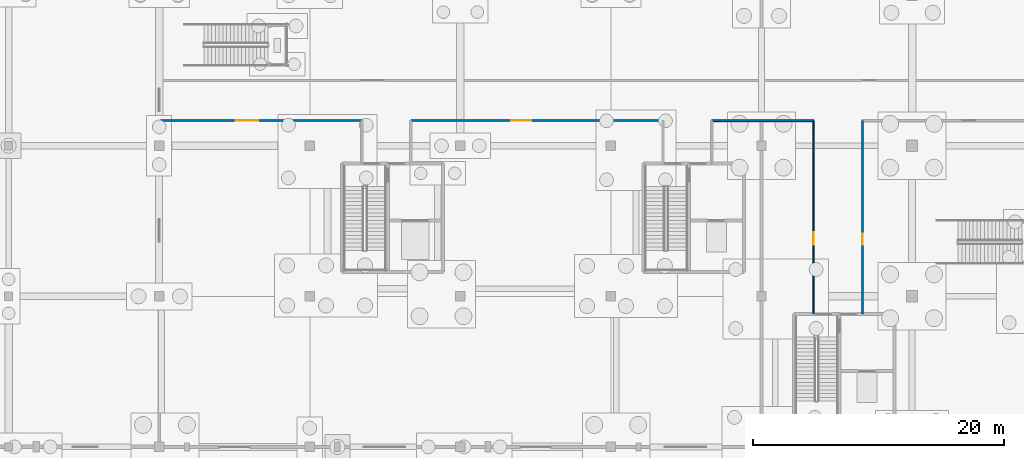
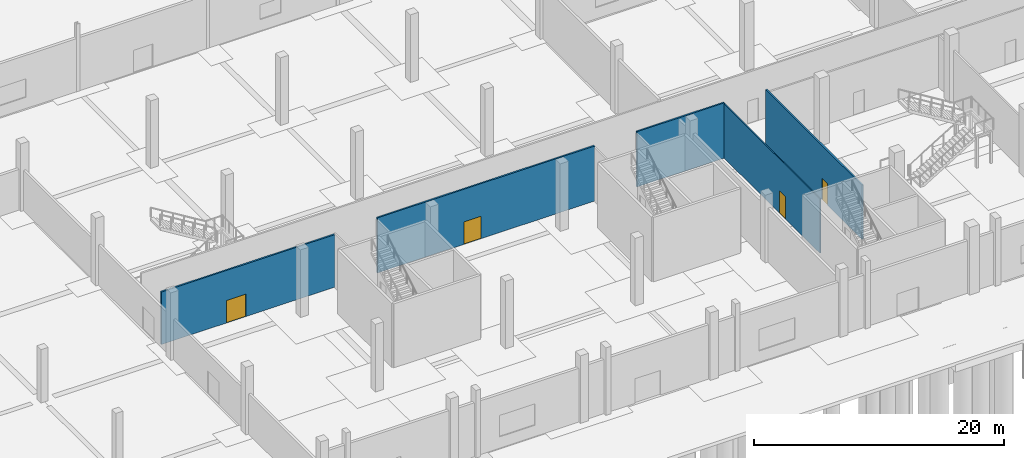
# One storey, part 83 of 117: 5 walls, 4 doors, 4 openings.
"""IFC4 building model written with IfcOpenShell, lengths in metres."""

from ifc_helpers import new_model, si_unit, direction, frame, frame_2d, origin, place, context, subcontext, project, spatial, rectangle, extrude, material, layer, layer_set, type_object, element, fill, save


model = new_model("IFC4")

# Units and contexts
model_context = context("Model", 3, precision=1e-05, world=origin(), true_north=direction((0.0, 1.0)))
body_context = subcontext(model_context, "Body", "Model", "MODEL_VIEW")
ifc_project = project(units=[si_unit("LENGTHUNIT", "METRE"), si_unit("AREAUNIT", "SQUARE_METRE"), si_unit("VOLUMEUNIT", "CUBIC_METRE"), si_unit("PLANEANGLEUNIT", "RADIAN"), si_unit("MASSUNIT", "GRAM", prefix="KILO")], contexts=[model_context])

# Site, building, storey
site_placement = place(None, origin())
site = spatial("IfcSite", under=ifc_project, at=site_placement, CompositionType="ELEMENT")
building_placement = place(site_placement, origin())
building = spatial("IfcBuilding", under=site, at=building_placement, Name="Kamomehara Wholesale Market", CompositionType="ELEMENT")
storey_placement = place(building_placement, origin())
storey = spatial("IfcBuildingStorey", under=building, at=storey_placement, Name="L00", CompositionType="ELEMENT", Elevation=0.0)

# Wall, opening, door
ifc_material_1 = material(Name="Gypsum board partition")
ifc_layer_1 = layer(ifc_material_1, 0.10009765625)
ifc_layer_set_1 = layer_set([ifc_layer_1], Name="Gypsum board partition")
wall_type_1 = type_object("IfcWallType", Name="IW-PRT-100", PredefinedType="PARTITIONING", material=ifc_layer_set_1)
wall_1_placement = place(storey_placement, frame((112.14990234375, 22.60009765625, 0.0), z_axis=(0.0, 0.0, 1.0), x_axis=(0.0, 1.0, 0.0)))
wall_1 = element("IfcWall", 1, at=wall_1_placement, inside=storey, type_object=wall_type_1, Name="Interior wall IW-PRT-100 248", PredefinedType="PARTITIONING", context=body_context, shape_type="SweptSolid", body=[
    extrude(rectangle(XDim=15.39990234375, YDim=0.10009765625, at=frame_2d((7.699951171875, 0.0))), origin(), (0.0, 0.0, 1.0), 5.302978515625),
])
opening_1_placement = place(wall_1_placement, frame((5.5, 0.0, 0.0)))
opening_1 = element("IfcOpeningElement", 2, at=opening_1_placement, cuts=wall_1, Name="Opening ID-L00-150", PredefinedType="OPENING", context=body_context, shape_type="SweptSolid", body=[
    extrude(rectangle(XDim=1.0, YDim=2.199951171875, at=frame_2d((0.5, 1.10009765625))), frame((0.0, 0.06494140625, 0.0), z_axis=(0.0, -1.0, 0.0), x_axis=(1.0, 0.0, 0.0)), (0.0, 0.0, 1.0), 0.1298828125),
])
ifc_material_2 = material(Name="Anodised aluminium 6063-T5", Category="aluminium")
door_type_1 = type_object("IfcDoorType", Name="IDR-RM-1000x2200", OperationType="NOTDEFINED", PredefinedType="DOOR", material=ifc_material_2)
door_1_placement = place(opening_1_placement, origin())
door_1 = element("IfcDoor", 3, at=door_1_placement, inside=storey, type_object=door_type_1, Name="Interior door ID-L00-150", OperationType="SINGLE_SWING_RIGHT", OverallHeight=2.199951171875, OverallWidth=1.0, PredefinedType="DOOR", context=body_context, shape_type="SweptSolid", body=[
    extrude(rectangle(XDim=1.0, YDim=2.199951171875, at=frame_2d((0.5, 1.10009765625))), frame((0.0, 0.02490234375, 0.0), z_axis=(0.0, -1.0, 0.0), x_axis=(1.0, 0.0, 0.0)), (0.0, 0.0, 1.0), 0.050048828125),
])
fill(opening_1, door_1)

ifc_material_3 = material(Name="Gypsum board partition")
ifc_layer_2 = layer(ifc_material_3, 0.14990234375)
ifc_layer_set_2 = layer_set([ifc_layer_2], Name="Gypsum board partition")
wall_type_2 = type_object("IfcWallType", Name="IW-PRT-150", PredefinedType="PARTITIONING", material=ifc_layer_set_2)
wall_2_placement = place(storey_placement, frame((60.110107421875, 38.0, 0.0), z_axis=(0.0, 0.0, 1.0), x_axis=(1.0, 0.0, 0.0)))
wall_2 = element("IfcWall", 4, at=wall_2_placement, inside=storey, type_object=wall_type_2, Name="Interior wall IW-PRT-150 241", PredefinedType="PARTITIONING", context=body_context, shape_type="SweptSolid", body=[
    extrude(rectangle(XDim=16.039794921875, YDim=0.14990234375, at=frame_2d((8.02001953125, 0.0))), origin(), (0.0, 0.0, 1.0), 5.133056640625),
])
opening_2_placement = place(wall_2_placement, frame((6.0, 0.0, 0.0)))
opening_2 = element("IfcOpeningElement", 5, at=opening_2_placement, cuts=wall_2, Name="Opening ID-L00-148", PredefinedType="OPENING", context=body_context, shape_type="SweptSolid", body=[
    extrude(rectangle(XDim=1.800048828125, YDim=2.199951171875, at=frame_2d((0.89990234375, 1.10009765625))), frame((0.0, 0.08984375, 0.0), z_axis=(0.0, -1.0, 0.0), x_axis=(1.0, 0.0, 0.0)), (0.0, 0.0, 1.0), 0.1796875),
])
ifc_material_4 = material(Name="Steel SN400B", Category="steel")
door_type_2 = type_object("IfcDoorType", Name="IDR-FD-1800x2200", OperationType="NOTDEFINED", PredefinedType="DOOR", material=ifc_material_4)
door_2_placement = place(opening_2_placement, origin())
door_2 = element("IfcDoor", 6, at=door_2_placement, inside=storey, type_object=door_type_2, Name="Interior door ID-L00-148", OperationType="SINGLE_SWING_RIGHT", OverallHeight=2.199951171875, OverallWidth=1.800048828125, PredefinedType="DOOR", context=body_context, shape_type="SweptSolid", body=[
    extrude(rectangle(XDim=1.800048828125, YDim=2.199951171875, at=frame_2d((0.89990234375, 1.10009765625))), frame((0.0, 0.02490234375, 0.0), z_axis=(0.0, -1.0, 0.0), x_axis=(1.0, 0.0, 0.0)), (0.0, 0.0, 1.0), 0.050048828125),
])
fill(opening_2, door_2)

wall_3_placement = place(storey_placement, frame((80.050048828125, 38.0, 0.0), z_axis=(0.0, 0.0, 1.0), x_axis=(1.0, 0.0, 0.0)))
wall_3 = element("IfcWall", 7, at=wall_3_placement, inside=storey, type_object=wall_type_2, Name="Interior wall IW-PRT-150 244", PredefinedType="PARTITIONING", context=body_context, shape_type="SweptSolid", body=[
    extrude(rectangle(XDim=20.099853515625, YDim=0.14990234375, at=frame_2d((10.0498046875, 0.0))), origin(), (0.0, 0.0, 1.0), 5.383056640625),
])
opening_3_placement = place(wall_3_placement, frame((8.0, 0.0, 0.0)))
opening_3 = element("IfcOpeningElement", 8, at=opening_3_placement, cuts=wall_3, Name="Opening ID-L00-149", PredefinedType="OPENING", context=body_context, shape_type="SweptSolid", body=[
    extrude(rectangle(XDim=1.60009765625, YDim=2.199951171875, at=frame_2d((0.800048828125, 1.10009765625))), frame((0.0, 0.08984375, 0.0), z_axis=(0.0, -1.0, 0.0), x_axis=(1.0, 0.0, 0.0)), (0.0, 0.0, 1.0), 0.1796875),
])
ifc_material_5 = material(Name="Steel SN400B", Category="steel")
door_type_3 = type_object("IfcDoorType", Name="IDR-FD-1600x2200", OperationType="NOTDEFINED", PredefinedType="DOOR", material=ifc_material_5)
door_3_placement = place(opening_3_placement, origin())
door_3 = element("IfcDoor", 9, at=door_3_placement, inside=storey, type_object=door_type_3, Name="Interior door ID-L00-149", OperationType="SINGLE_SWING_LEFT", OverallHeight=2.199951171875, OverallWidth=1.60009765625, PredefinedType="DOOR", context=body_context, shape_type="SweptSolid", body=[
    extrude(rectangle(XDim=1.60009765625, YDim=2.199951171875, at=frame_2d((0.800048828125, 1.10009765625))), frame((0.0, 0.02490234375, 0.0), z_axis=(0.0, -1.0, 0.0), x_axis=(1.0, 0.0, 0.0)), (0.0, 0.0, 1.0), 0.050048828125),
])
fill(opening_3, door_3)

# Wall
wall_4_placement = place(storey_placement, frame((104.050048828125, 38.0, 0.0), z_axis=(0.0, 0.0, 1.0), x_axis=(1.0, 0.0, 0.0)))
element("IfcWall", 10, at=wall_4_placement, inside=storey, type_object=wall_type_2, Name="Interior wall IW-PRT-150 247", PredefinedType="PARTITIONING", context=body_context, shape_type="SweptSolid", body=[
    extrude(rectangle(XDim=8.099853515625, YDim=0.14990234375, at=frame_2d((4.0498046875, 0.0))), origin(), (0.0, 0.0, 1.0), 5.403076171875),
])

# Wall, opening, door
wall_5_placement = place(storey_placement, frame((116.050048828125, 22.60009765625, 0.0), z_axis=(0.0, 0.0, 1.0), x_axis=(0.0, 1.0, 0.0)))
wall_5 = element("IfcWall", 11, at=wall_5_placement, inside=storey, type_object=wall_type_2, Name="Interior wall IW-PRT-150 249", PredefinedType="PARTITIONING", context=body_context, shape_type="SweptSolid", body=[
    extrude(rectangle(XDim=15.39990234375, YDim=0.14990234375, at=frame_2d((7.699951171875, 0.0))), origin(), (0.0, 0.0, 1.0), 5.302978515625),
])
opening_4_placement = place(wall_5_placement, frame((5.5, 0.0, 0.0)))
opening_4 = element("IfcOpeningElement", 12, at=opening_4_placement, cuts=wall_5, Name="Opening ID-L00-151", PredefinedType="OPENING", context=body_context, shape_type="SweptSolid", body=[
    extrude(rectangle(XDim=0.89990234375, YDim=2.10009765625, at=frame_2d((0.449951171875, 1.050048828125))), frame((0.0, 0.08984375, 0.0), z_axis=(0.0, -1.0, 0.0), x_axis=(1.0, 0.0, 0.0)), (0.0, 0.0, 1.0), 0.1796875),
])
ifc_material_6 = material(Name="Anodised aluminium 6063-T5", Category="aluminium")
door_type_4 = type_object("IfcDoorType", Name="IDR-RM-900x2100", OperationType="NOTDEFINED", PredefinedType="DOOR", material=ifc_material_6)
door_4_placement = place(opening_4_placement, origin())
door_4 = element("IfcDoor", 13, at=door_4_placement, inside=storey, type_object=door_type_4, Name="Interior door ID-L00-151", OperationType="SINGLE_SWING_LEFT", OverallHeight=2.10009765625, OverallWidth=0.89990234375, PredefinedType="DOOR", context=body_context, shape_type="SweptSolid", body=[
    extrude(rectangle(XDim=0.89990234375, YDim=2.10009765625, at=frame_2d((0.449951171875, 1.050048828125))), frame((0.0, 0.02490234375, 0.0), z_axis=(0.0, -1.0, 0.0), x_axis=(1.0, 0.0, 0.0)), (0.0, 0.0, 1.0), 0.050048828125),
])
fill(opening_4, door_4)

save(model, "model.ifc")
